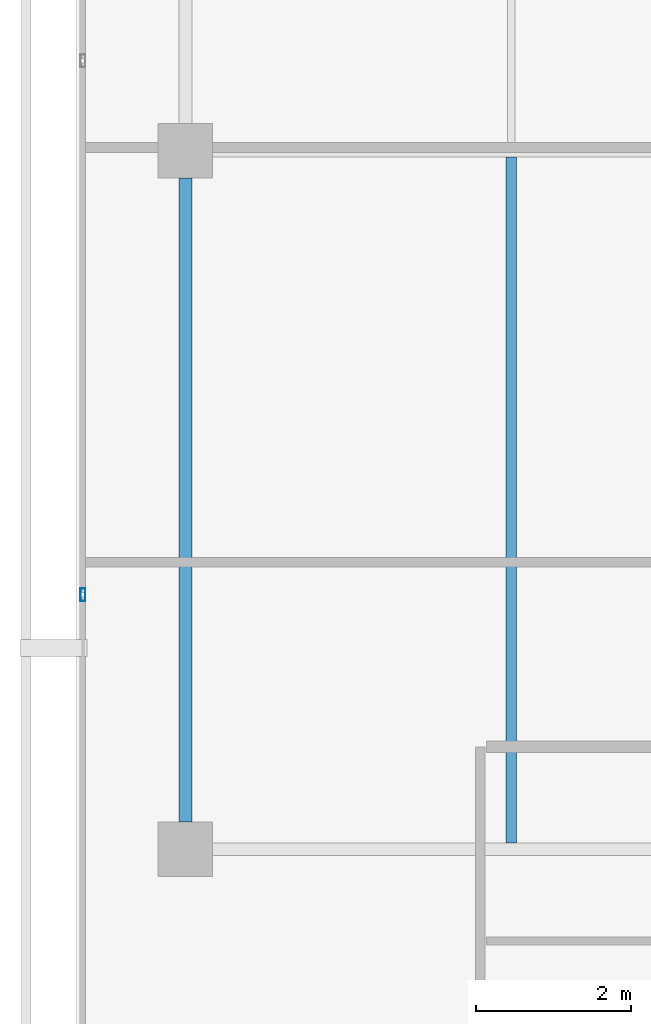
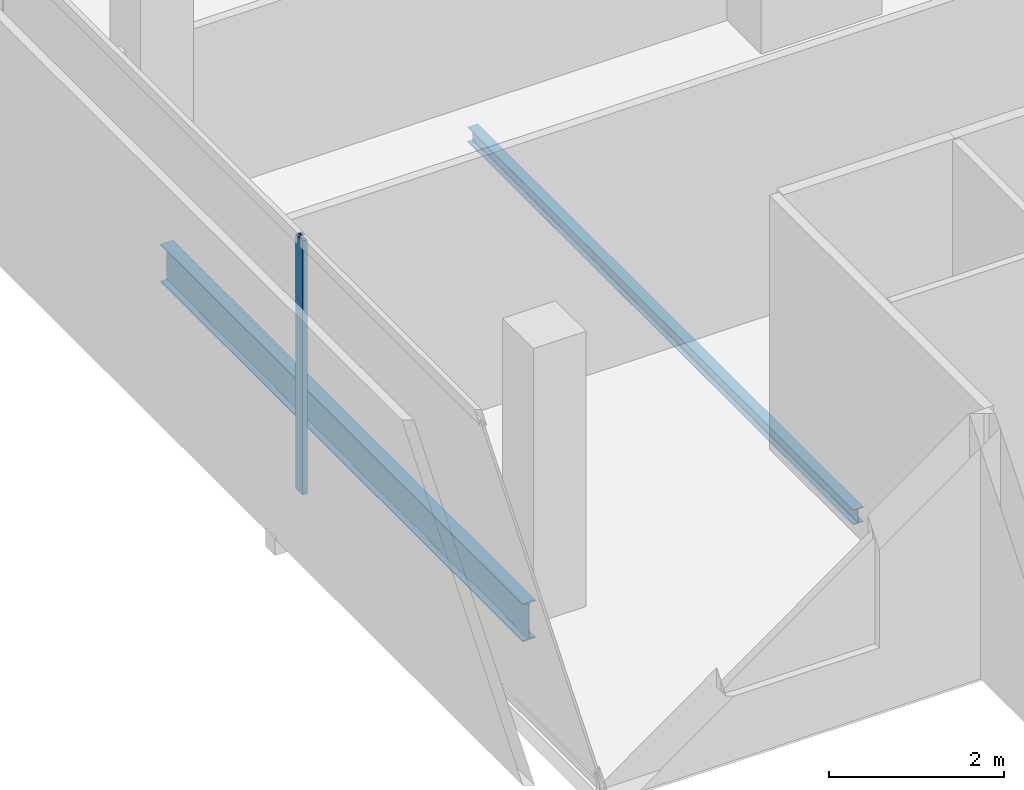
# One storey, part 4 of 26: 2 beams, 1 member, 1 element without a shape of its own.
"""IFC4 building model written with IfcOpenShell, lengths in metres."""

from ifc_helpers import new_model, si_unit, direction, frame, origin, origin_2d, place, context, subcontext, project, spatial, hollow_rectangle, i_section, extrude, material, layer, layer_set, material_profile, profile_set, type_object, element, aggregate, save


model = new_model("IFC4")

# Units and contexts
model_context = context("Model", 3, precision=1e-05, world=origin(), true_north=direction((0.0, 1.0)))
body_context = subcontext(model_context, "Body", "Model", "MODEL_VIEW")
ifc_project = project(units=[si_unit("LENGTHUNIT", "METRE"), si_unit("AREAUNIT", "SQUARE_METRE"), si_unit("VOLUMEUNIT", "CUBIC_METRE"), si_unit("PLANEANGLEUNIT", "RADIAN"), si_unit("MASSUNIT", "GRAM", prefix="KILO")], contexts=[model_context])

# Site, building, storey
site_placement = place(None, origin())
site = spatial("IfcSite", under=ifc_project, at=site_placement, CompositionType="ELEMENT")
building_placement = place(site_placement, origin())
building = spatial("IfcBuilding", under=site, at=building_placement, Name="Maruvema Waterfront Hotel and Observation Tower", CompositionType="ELEMENT")
storey_placement = place(building_placement, frame((0.0, 0.0, 312.550048828125)))
storey = spatial("IfcBuildingStorey", under=building, at=storey_placement, Name="L77", CompositionType="ELEMENT", Elevation=312.550048828125)

# Curtain wall, member
ifc_material_1 = material(Name="Anodised bronze aluminium and solar-control low-E IGU", Category="aluminium")
ifc_layer = layer(ifc_material_1, 0.159912109375, Name="Zone 3 Champagne Inner Thermal Curtain Wall System CW-04")
ifc_layer_set = layer_set([ifc_layer], Name="Anodised bronze aluminium and solar-control low-E IGU")
curtain_wall_type = type_object("IfcCurtainWallType", Name="Zone 3 Champagne Inner Thermal Curtain Wall System CW-04", PredefinedType="USERDEFINED", material=ifc_layer_set)
curtain_wall_placement = place(storey_placement, origin())
curtain_wall = element("IfcCurtainWall", 1, at=curtain_wall_placement, inside=storey, type_object=curtain_wall_type, Name="L77 Curtain Wall CW-L77-W", ObjectType="UNITISED CURTAIN WALL", PredefinedType="USERDEFINED")
ifc_material_2 = material(Name="Anodised architectural bronze aluminium", Category="aluminium")
ifc_material_profile_1 = material_profile(ifc_material_2, hollow_rectangle(XDim=0.06494140625, YDim=0.1650390625, WallThickness=0.00390625, at=origin_2d()), Name="ALU-M65x165")
ifc_profile_set_1 = profile_set([ifc_material_profile_1], Name="Anodised architectural bronze aluminium")
member_type = type_object("IfcMemberType", Name="Curtain Wall Primary Mullion ALU-M65x165", PredefinedType="MULLION", material=ifc_profile_set_1)
member_placement = place(storey_placement, frame((15.47998046875, 21.280029296875, 0.0), z_axis=(0.0, 0.0, 1.0), x_axis=(1.0, 0.0, 0.0)))
member = element("IfcMember", 2, at=member_placement, type_object=member_type, Name="CW-04 mullion 5", PredefinedType="MULLION", context=body_context, shape_type="SweptSolid", body=[
    extrude(hollow_rectangle(XDim=0.06494140625, YDim=0.1650390625, WallThickness=0.00390625, at=origin_2d()), origin(), (0.0, 0.0, 1.0), 3.550048828125),
])
aggregate(curtain_wall, [member])

# Beams
ifc_material_3 = material(Name="Steel ASTM A572 Grade 50", Category="steel")
ifc_material_profile_2 = material_profile(ifc_material_3, i_section(OverallWidth=0.166015625, OverallDepth=0.529052734375, WebThickness=0.009765625, FlangeThickness=0.013671875, FilletRadius=0.014892578125, at=origin_2d()), Name="W530x74.0")
ifc_profile_set_2 = profile_set([ifc_material_profile_2], Name="Steel ASTM A572 Grade 50")
beam_type_1 = type_object("IfcBeamType", Name="Primary Floor Girder W530x74.0", PredefinedType="BEAM", material=ifc_profile_set_2)
beam_1_placement = place(storey_placement, frame((16.800048828125, 18.35009765625, -0.504638671875), z_axis=(0.0, 1.0, 0.0), x_axis=(-1.0, 0.0, 0.0)))
element("IfcBeam", 3, at=beam_1_placement, inside=storey, type_object=beam_type_1, Name="L77 Floor Girder NS-01", PredefinedType="BEAM", context=body_context, shape_type="SweptSolid", body=[
    extrude(i_section(OverallWidth=0.166015625, OverallDepth=0.529052734375, WebThickness=0.009765625, FlangeThickness=0.013671875, FilletRadius=0.014892578125, at=origin_2d()), origin(), (0.0, 0.0, 1.0), 8.2998046875),
])
ifc_material_4 = material(Name="Steel ASTM A572 Grade 50", Category="steel")
ifc_material_profile_3 = material_profile(ifc_material_4, i_section(OverallWidth=0.133056640625, OverallDepth=0.20703125, WebThickness=0.005859375, FlangeThickness=0.00830078125, FilletRadius=0.010009765625, at=origin_2d()), Name="W200x26.6")
ifc_profile_set_3 = profile_set([ifc_material_profile_3], Name="Steel ASTM A572 Grade 50")
beam_type_2 = type_object("IfcBeamType", Name="Secondary Floor Joist W200x26.6", PredefinedType="JOIST", material=ifc_profile_set_3)
beam_2_placement = place(storey_placement, frame((21.0, 18.0830078125, -0.343505859375), z_axis=(0.0, 1.0, 0.0), x_axis=(-1.0, 0.0, 0.0)))
element("IfcBeam", 4, at=beam_2_placement, inside=storey, type_object=beam_type_2, Name="L77 Secondary Floor Joist JS-01", PredefinedType="JOIST", context=body_context, shape_type="SweptSolid", body=[
    extrude(i_section(OverallWidth=0.133056640625, OverallDepth=0.20703125, WebThickness=0.005859375, FlangeThickness=0.00830078125, FilletRadius=0.010009765625, at=origin_2d()), origin(), (0.0, 0.0, 1.0), 8.833984375),
])

save(model, "model.ifc")
